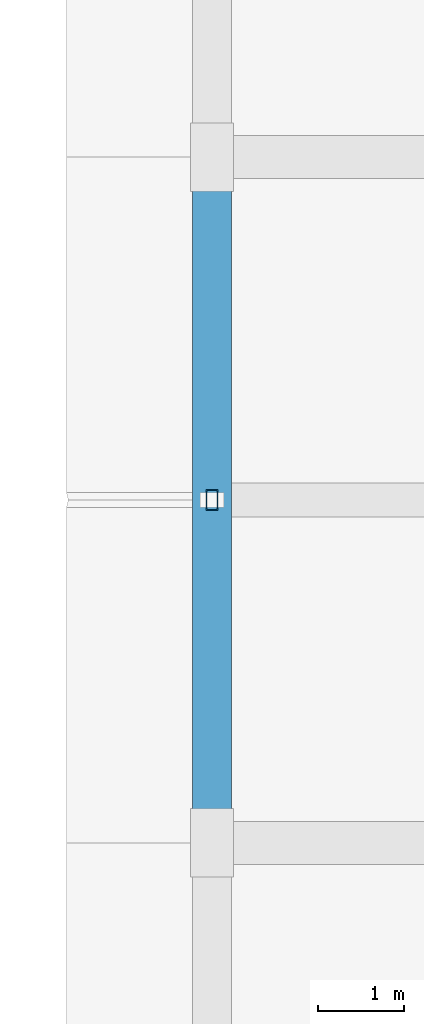
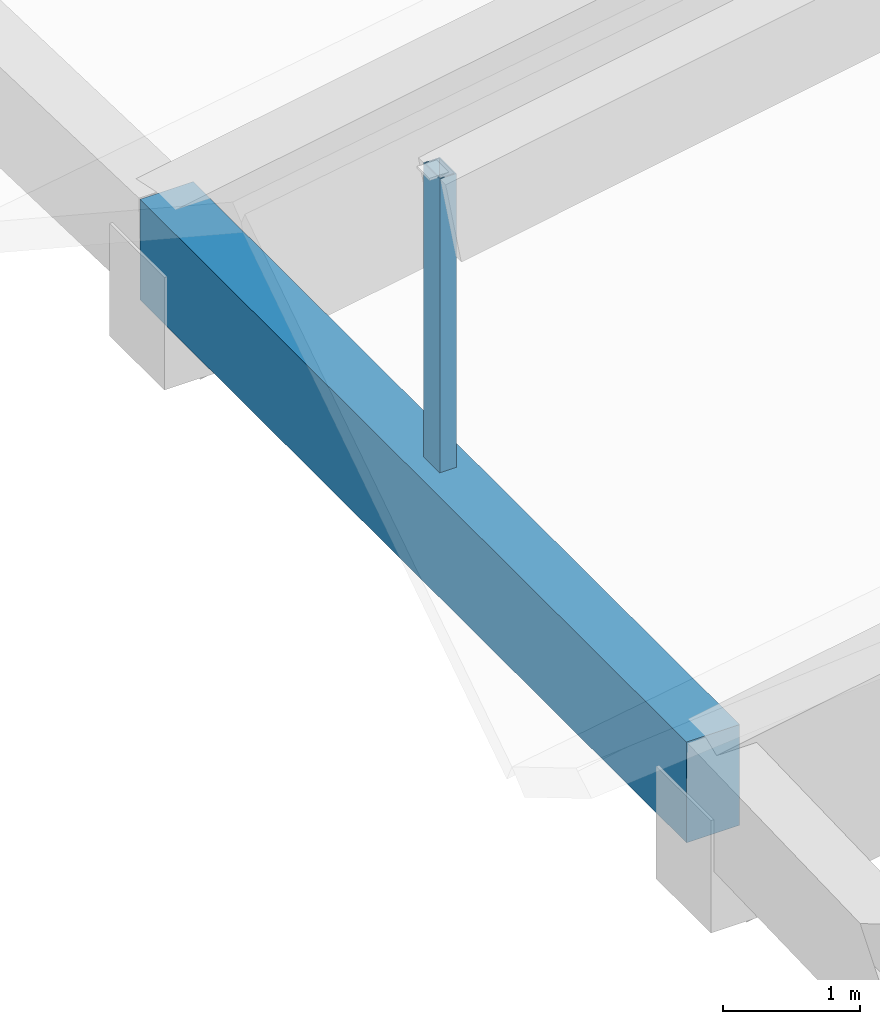
# One storey, part 19 of 109: 1 beam, 1 member.
"""IFC4 building model written with IfcOpenShell, lengths in metres."""

from ifc_helpers import new_model, si_unit, direction, frame, origin, origin_2d, place, context, subcontext, project, spatial, rectangle, hollow_rectangle, extrude, material, material_profile, profile_set, type_object, element, save


model = new_model("IFC4")

# Units and contexts
model_context = context("Model", 3, precision=1e-05, world=origin(), true_north=direction((0.0, 1.0)))
body_context = subcontext(model_context, "Body", "Model", "MODEL_VIEW")
ifc_project = project(units=[si_unit("LENGTHUNIT", "METRE"), si_unit("AREAUNIT", "SQUARE_METRE"), si_unit("VOLUMEUNIT", "CUBIC_METRE"), si_unit("PLANEANGLEUNIT", "RADIAN"), si_unit("MASSUNIT", "GRAM", prefix="KILO")], contexts=[model_context])

# Site, building, storey
site_placement = place(None, origin())
site = spatial("IfcSite", under=ifc_project, at=site_placement, CompositionType="ELEMENT")
building_placement = place(site_placement, origin())
building = spatial("IfcBuilding", under=site, at=building_placement, Name="Zavelmont Quarter", CompositionType="ELEMENT")
storey_placement = place(building_placement, frame((0.0, 0.0, 8.0)))
storey = spatial("IfcBuildingStorey", under=building, at=storey_placement, Name="L02", CompositionType="ELEMENT", Elevation=8.0)

# Beam
ifc_material_1 = material(Name="Concrete C40/50", Category="concrete")
ifc_material_profile_1 = material_profile(ifc_material_1, rectangle(XDim=0.449951171875, YDim=0.89990234375, at=origin_2d()), Name="RC450X900")
ifc_profile_set_1 = profile_set([ifc_material_profile_1], Name="Concrete C40/50")
beam_type = type_object("IfcBeamType", Name="BM06", PredefinedType="BEAM", material=ifc_profile_set_1)
beam_placement = place(storey_placement, frame((55.199951171875, 54.0, 1.0048828125), z_axis=(0.0, 1.0, 0.0), x_axis=(-1.0, 0.0, 0.0)))
element("IfcBeam", 1, at=beam_placement, inside=storey, type_object=beam_type, Name="L02 beam BM06 9/J to 9/K", PredefinedType="BEAM", context=body_context, shape_type="SweptSolid", body=[
    extrude(rectangle(XDim=0.449951171875, YDim=0.89990234375, at=origin_2d()), origin(), (0.0, 0.0, 1.0), 8.0),
])

# Member
ifc_material_2 = material(Name="Steel S355", Category="steel")
ifc_material_profile_2 = material_profile(ifc_material_2, hollow_rectangle(XDim=0.139892578125, YDim=0.239990234375, WallThickness=0.010009765625, at=origin_2d()), Name="RHS 240X140X10")
ifc_profile_set_2 = profile_set([ifc_material_profile_2], Name="Steel S355")
member_type = type_object("IfcMemberType", Name="CLM1", PredefinedType="CHORD", material=ifc_profile_set_2)
member_placement = place(storey_placement, frame((55.199951171875, 58.0, 1.429931640625), z_axis=(0.0, 0.0, 1.0), x_axis=(1.0, 0.0, 0.0)))
element("IfcMember", 2, at=member_placement, inside=storey, type_object=member_type, Name="L02 member CLM1 9/J to 9/J", PredefinedType="CHORD", context=body_context, shape_type="SweptSolid", body=[
    extrude(hollow_rectangle(XDim=0.139892578125, YDim=0.239990234375, WallThickness=0.010009765625, at=origin_2d()), origin(), (0.0, 0.0, 1.0), 2.650146484375),
])

save(model, "model.ifc")
